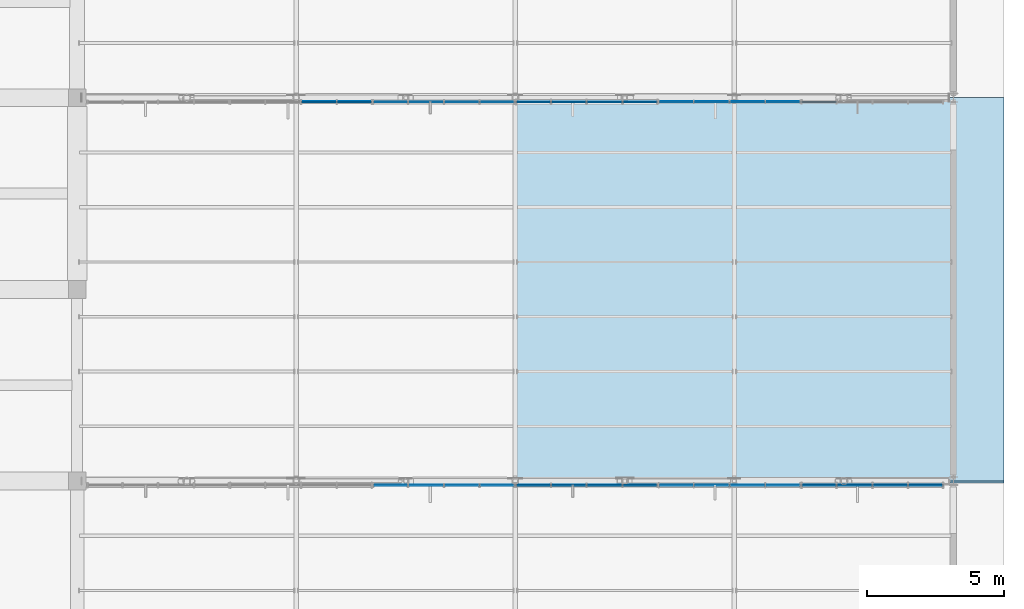
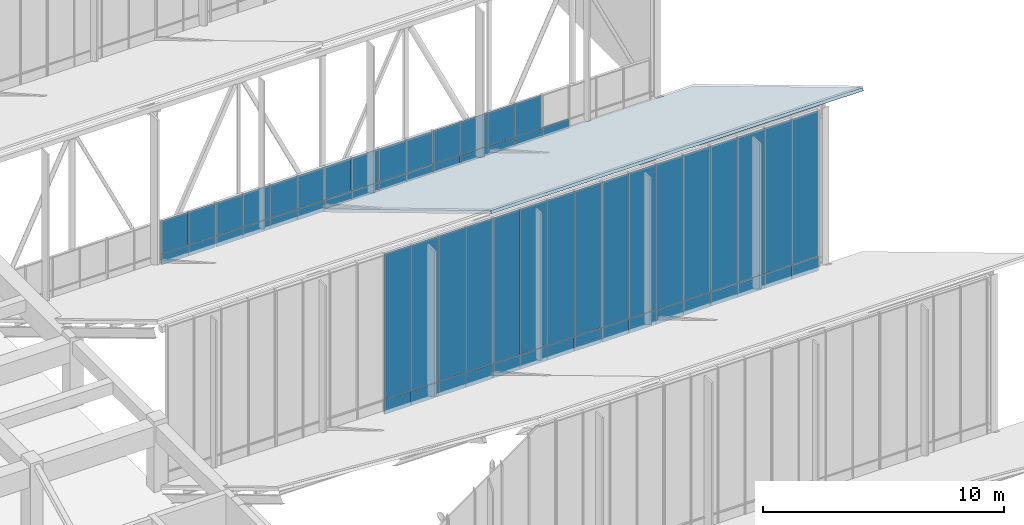
# One storey, part 81 of 155: 61 plates, 1 slab, 10 elements without a shape of their own.
"""IFC4 building model written with IfcOpenShell, lengths in metres."""

from ifc_helpers import new_model, si_unit, direction, frame, origin, origin_2d, place, context, subcontext, project, spatial, polyline, rectangle, outline, extrude, material, layer, layer_set, type_object, element, aggregate, save


model = new_model("IFC4")

# Units and contexts
model_context = context("Model", 3, precision=1e-05, world=origin(), true_north=direction((0.0, 1.0)))
body_context = subcontext(model_context, "Body", "Model", "MODEL_VIEW")
ifc_project = project(units=[si_unit("LENGTHUNIT", "METRE"), si_unit("AREAUNIT", "SQUARE_METRE"), si_unit("VOLUMEUNIT", "CUBIC_METRE"), si_unit("PLANEANGLEUNIT", "RADIAN"), si_unit("MASSUNIT", "GRAM", prefix="KILO")], contexts=[model_context])

# Site, building, storey
site_placement = place(None, origin())
site = spatial("IfcSite", under=ifc_project, at=site_placement, CompositionType="ELEMENT")
building_placement = place(site_placement, origin())
building = spatial("IfcBuilding", under=site, at=building_placement, Name="Larkveld Mobility Hub", CompositionType="ELEMENT")
storey_placement = place(building_placement, frame((0.0, 0.0, 8.39990234375)))
storey = spatial("IfcBuildingStorey", under=building, at=storey_placement, Name="L02", CompositionType="ELEMENT", Elevation=8.39990234375)

# Curtain wall, plates
ifc_material_1 = material(Name="Anodised aluminium 6063-T6", Category="aluminium")
curtain_wall_type_1 = type_object("IfcCurtainWallType", Name="CW-SYS-04", PredefinedType="NOTDEFINED", material=ifc_material_1)
curtain_wall_1_placement = place(storey_placement, origin())
curtain_wall_1 = element("IfcCurtainWall", 1, at=curtain_wall_1_placement, inside=storey, type_object=curtain_wall_type_1, Name="Sawtooth South-Light Clerestory B4 CW-028", PredefinedType="NOTDEFINED")
ifc_material_2 = material(Name="Low-E laminated solar-control double glazing", Category="glass")
ifc_layer_1 = layer(ifc_material_2, 0.028076171875, Name="Low-E laminated solar-control double glazing", Category="glass")
ifc_layer_set_1 = layer_set([ifc_layer_1], Name="Low-E laminated solar-control double glazing")
plate_type_1 = type_object("IfcPlateType", Name="CW-PNL-GL01", PredefinedType="CURTAIN_PANEL", material=ifc_layer_set_1)
plate_1_placement = place(storey_placement, frame((163.445068359375, 69.844970703125, 0.75), z_axis=(0.0, 0.0, 1.0), x_axis=(1.0, 0.0, 0.0)))
plate_1 = element("IfcPlate", 2, at=plate_1_placement, type_object=plate_type_1, Name="CW04 panel 1", PredefinedType="CURTAIN_PANEL", context=body_context, shape_type="SweptSolid", body=[
    extrude(rectangle(XDim=1.27392578125, YDim=0.028076171875, at=origin_2d()), origin(), (0.0, 0.0, 1.0), 7.367919921875),
])
plate_2_placement = place(storey_placement, frame((164.739013671875, 69.844970703125, 0.75), z_axis=(0.0, 0.0, 1.0), x_axis=(1.0, 0.0, 0.0)))
plate_2 = element("IfcPlate", 3, at=plate_2_placement, type_object=plate_type_1, Name="CW04 panel 2", PredefinedType="CURTAIN_PANEL", context=body_context, shape_type="SweptSolid", body=[
    extrude(rectangle(XDim=1.2939453125, YDim=0.028076171875, at=origin_2d()), origin(), (0.0, 0.0, 1.0), 7.367919921875),
])
plate_3_placement = place(storey_placement, frame((166.04296875, 69.844970703125, 0.75), z_axis=(0.0, 0.0, 1.0), x_axis=(1.0, 0.0, 0.0)))
plate_3 = element("IfcPlate", 4, at=plate_3_placement, type_object=plate_type_1, Name="CW04 panel 3", PredefinedType="CURTAIN_PANEL", context=body_context, shape_type="SweptSolid", body=[
    extrude(rectangle(XDim=1.2939453125, YDim=0.028076171875, at=origin_2d()), origin(), (0.0, 0.0, 1.0), 7.367919921875),
])
plate_4_placement = place(storey_placement, frame((167.337890625, 69.844970703125, 0.75), z_axis=(0.0, 0.0, 1.0), x_axis=(1.0, 0.0, 0.0)))
plate_4 = element("IfcPlate", 5, at=plate_4_placement, type_object=plate_type_1, Name="CW04 panel 4", PredefinedType="CURTAIN_PANEL", context=body_context, shape_type="SweptSolid", body=[
    extrude(rectangle(XDim=1.27392578125, YDim=0.028076171875, at=origin_2d()), origin(), (0.0, 0.0, 1.0), 7.367919921875),
])

curtain_wall_type_2 = type_object("IfcCurtainWallType", Name="CW-SYS-07", PredefinedType="NOTDEFINED", material=ifc_material_1)
curtain_wall_2_placement = place(storey_placement, origin())
curtain_wall_2 = element("IfcCurtainWall", 6, at=curtain_wall_2_placement, inside=storey, type_object=curtain_wall_type_2, Name="Sawtooth South-Light Clerestory B4 CW-031", PredefinedType="NOTDEFINED")
plate_5_placement = place(storey_placement, frame((179.094970703125, 69.844970703125, 0.75), z_axis=(0.0, 0.0, 1.0), x_axis=(1.0, 0.0, 0.0)))
plate_5 = element("IfcPlate", 7, at=plate_5_placement, type_object=plate_type_1, Name="CW07 panel 1", PredefinedType="CURTAIN_PANEL", context=body_context, shape_type="SweptSolid", body=[
    extrude(rectangle(XDim=1.27392578125, YDim=0.028076171875, at=origin_2d()), origin(), (0.0, 0.0, 1.0), 7.367919921875),
])
plate_6_placement = place(storey_placement, frame((180.388916015625, 69.844970703125, 0.75), z_axis=(0.0, 0.0, 1.0), x_axis=(1.0, 0.0, 0.0)))
plate_6 = element("IfcPlate", 8, at=plate_6_placement, type_object=plate_type_1, Name="CW07 panel 2", PredefinedType="CURTAIN_PANEL", context=body_context, shape_type="SweptSolid", body=[
    extrude(rectangle(XDim=1.2939453125, YDim=0.028076171875, at=origin_2d()), origin(), (0.0, 0.0, 1.0), 7.367919921875),
])
plate_7_placement = place(storey_placement, frame((181.694091796875, 69.844970703125, 0.75), z_axis=(0.0, 0.0, 1.0), x_axis=(1.0, 0.0, 0.0)))
plate_7 = element("IfcPlate", 9, at=plate_7_placement, type_object=plate_type_1, Name="CW07 panel 3", PredefinedType="CURTAIN_PANEL", context=body_context, shape_type="SweptSolid", body=[
    extrude(rectangle(XDim=1.2939453125, YDim=0.028076171875, at=origin_2d()), origin(), (0.0, 0.0, 1.0), 7.367919921875),
])
plate_8_placement = place(storey_placement, frame((182.988037109375, 69.844970703125, 0.75), z_axis=(0.0, 0.0, 1.0), x_axis=(1.0, 0.0, 0.0)))
plate_8 = element("IfcPlate", 10, at=plate_8_placement, type_object=plate_type_1, Name="CW07 panel 4", PredefinedType="CURTAIN_PANEL", context=body_context, shape_type="SweptSolid", body=[
    extrude(rectangle(XDim=1.27392578125, YDim=0.028076171875, at=origin_2d()), origin(), (0.0, 0.0, 1.0), 7.367919921875),
])

curtain_wall_type_3 = type_object("IfcCurtainWallType", Name="CW-SYS-10", PredefinedType="NOTDEFINED", material=ifc_material_1)
curtain_wall_3_placement = place(storey_placement, origin())
curtain_wall_3 = element("IfcCurtainWall", 11, at=curtain_wall_3_placement, inside=storey, type_object=curtain_wall_type_3, Name="Sawtooth South-Light Clerestory B5 CW-034", PredefinedType="NOTDEFINED")
plate_9_placement = place(storey_placement, frame((163.445068359375, 83.844970703125, 0.564453125), z_axis=(0.0, 0.0, 1.0), x_axis=(1.0, 0.0, 0.0)))
plate_9 = element("IfcPlate", 12, at=plate_9_placement, type_object=plate_type_1, Name="CW10 panel 1", PredefinedType="CURTAIN_PANEL", context=body_context, shape_type="SweptSolid", body=[
    extrude(rectangle(XDim=1.27392578125, YDim=0.028076171875, at=origin_2d()), origin(), (0.0, 0.0, 1.0), 1.6630859375),
])
plate_10_placement = place(storey_placement, frame((164.739013671875, 83.844970703125, 0.564453125), z_axis=(0.0, 0.0, 1.0), x_axis=(1.0, 0.0, 0.0)))
plate_10 = element("IfcPlate", 13, at=plate_10_placement, type_object=plate_type_1, Name="CW10 panel 2", PredefinedType="CURTAIN_PANEL", context=body_context, shape_type="SweptSolid", body=[
    extrude(rectangle(XDim=1.2939453125, YDim=0.028076171875, at=origin_2d()), origin(), (0.0, 0.0, 1.0), 1.6630859375),
])
plate_11_placement = place(storey_placement, frame((166.04296875, 83.844970703125, 0.564453125), z_axis=(0.0, 0.0, 1.0), x_axis=(1.0, 0.0, 0.0)))
plate_11 = element("IfcPlate", 14, at=plate_11_placement, type_object=plate_type_1, Name="CW10 panel 3", PredefinedType="CURTAIN_PANEL", context=body_context, shape_type="SweptSolid", body=[
    extrude(rectangle(XDim=1.2939453125, YDim=0.028076171875, at=origin_2d()), origin(), (0.0, 0.0, 1.0), 1.6630859375),
])
plate_12_placement = place(storey_placement, frame((167.337890625, 83.844970703125, 0.564453125), z_axis=(0.0, 0.0, 1.0), x_axis=(1.0, 0.0, 0.0)))
plate_12 = element("IfcPlate", 15, at=plate_12_placement, type_object=plate_type_1, Name="CW10 panel 4", PredefinedType="CURTAIN_PANEL", context=body_context, shape_type="SweptSolid", body=[
    extrude(rectangle(XDim=1.27392578125, YDim=0.028076171875, at=origin_2d()), origin(), (0.0, 0.0, 1.0), 1.6630859375),
])

curtain_wall_type_4 = type_object("IfcCurtainWallType", Name="CW-SYS-05", PredefinedType="NOTDEFINED", material=ifc_material_1)
curtain_wall_4_placement = place(storey_placement, origin())
curtain_wall_4 = element("IfcCurtainWall", 16, at=curtain_wall_4_placement, inside=storey, type_object=curtain_wall_type_4, Name="Sawtooth South-Light Clerestory B4 CW-029", PredefinedType="NOTDEFINED")
ifc_material_3 = material(Name="Acoustic solar-control laminated double glazing", Category="glass")
ifc_layer_2 = layer(ifc_material_3, 0.031982421875, Name="Acoustic solar-control laminated double glazing", Category="glass")
ifc_layer_set_2 = layer_set([ifc_layer_2], Name="Acoustic solar-control laminated double glazing")
plate_type_2 = type_object("IfcPlateType", Name="CW-PNL-GL02", PredefinedType="CURTAIN_PANEL", material=ifc_layer_set_2)
plate_13_placement = place(storey_placement, frame((168.662109375, 69.844970703125, 0.75), z_axis=(0.0, 0.0, 1.0), x_axis=(1.0, 0.0, 0.0)))
plate_13 = element("IfcPlate", 17, at=plate_13_placement, type_object=plate_type_2, Name="CW05 panel 1", PredefinedType="CURTAIN_PANEL", context=body_context, shape_type="SweptSolid", body=[
    extrude(rectangle(XDim=1.27392578125, YDim=0.031982421875, at=origin_2d()), origin(), (0.0, 0.0, 1.0), 7.367919921875),
])
plate_14_placement = place(storey_placement, frame((169.9560546875, 69.844970703125, 0.75), z_axis=(0.0, 0.0, 1.0), x_axis=(1.0, 0.0, 0.0)))
plate_14 = element("IfcPlate", 18, at=plate_14_placement, type_object=plate_type_2, Name="CW05 panel 2", PredefinedType="CURTAIN_PANEL", context=body_context, shape_type="SweptSolid", body=[
    extrude(rectangle(XDim=1.2939453125, YDim=0.031982421875, at=origin_2d()), origin(), (0.0, 0.0, 1.0), 7.367919921875),
])
plate_15_placement = place(storey_placement, frame((171.260009765625, 69.844970703125, 0.75), z_axis=(0.0, 0.0, 1.0), x_axis=(1.0, 0.0, 0.0)))
plate_15 = element("IfcPlate", 19, at=plate_15_placement, type_object=plate_type_2, Name="CW05 panel 3", PredefinedType="CURTAIN_PANEL", context=body_context, shape_type="SweptSolid", body=[
    extrude(rectangle(XDim=1.2939453125, YDim=0.031982421875, at=origin_2d()), origin(), (0.0, 0.0, 1.0), 7.367919921875),
])
plate_16_placement = place(storey_placement, frame((172.554931640625, 69.844970703125, 0.75), z_axis=(0.0, 0.0, 1.0), x_axis=(1.0, 0.0, 0.0)))
plate_16 = element("IfcPlate", 20, at=plate_16_placement, type_object=plate_type_2, Name="CW05 panel 4", PredefinedType="CURTAIN_PANEL", context=body_context, shape_type="SweptSolid", body=[
    extrude(rectangle(XDim=1.27392578125, YDim=0.031982421875, at=origin_2d()), origin(), (0.0, 0.0, 1.0), 7.367919921875),
])

curtain_wall_type_5 = type_object("IfcCurtainWallType", Name="CW-SYS-11", PredefinedType="NOTDEFINED", material=ifc_material_1)
curtain_wall_5_placement = place(storey_placement, origin())
curtain_wall_5 = element("IfcCurtainWall", 21, at=curtain_wall_5_placement, inside=storey, type_object=curtain_wall_type_5, Name="Sawtooth South-Light Clerestory B5 CW-035", PredefinedType="NOTDEFINED")
plate_17_placement = place(storey_placement, frame((168.662109375, 83.844970703125, 0.564453125), z_axis=(0.0, 0.0, 1.0), x_axis=(1.0, 0.0, 0.0)))
plate_17 = element("IfcPlate", 22, at=plate_17_placement, type_object=plate_type_2, Name="CW11 panel 1", PredefinedType="CURTAIN_PANEL", context=body_context, shape_type="SweptSolid", body=[
    extrude(rectangle(XDim=1.27392578125, YDim=0.031982421875, at=origin_2d()), origin(), (0.0, 0.0, 1.0), 1.6630859375),
])
plate_18_placement = place(storey_placement, frame((169.9560546875, 83.844970703125, 0.564453125), z_axis=(0.0, 0.0, 1.0), x_axis=(1.0, 0.0, 0.0)))
plate_18 = element("IfcPlate", 23, at=plate_18_placement, type_object=plate_type_2, Name="CW11 panel 2", PredefinedType="CURTAIN_PANEL", context=body_context, shape_type="SweptSolid", body=[
    extrude(rectangle(XDim=1.2939453125, YDim=0.031982421875, at=origin_2d()), origin(), (0.0, 0.0, 1.0), 1.6630859375),
])
plate_19_placement = place(storey_placement, frame((171.260009765625, 83.844970703125, 0.564453125), z_axis=(0.0, 0.0, 1.0), x_axis=(1.0, 0.0, 0.0)))
plate_19 = element("IfcPlate", 24, at=plate_19_placement, type_object=plate_type_2, Name="CW11 panel 3", PredefinedType="CURTAIN_PANEL", context=body_context, shape_type="SweptSolid", body=[
    extrude(rectangle(XDim=1.2939453125, YDim=0.031982421875, at=origin_2d()), origin(), (0.0, 0.0, 1.0), 1.6630859375),
])
plate_20_placement = place(storey_placement, frame((172.554931640625, 83.844970703125, 0.564453125), z_axis=(0.0, 0.0, 1.0), x_axis=(1.0, 0.0, 0.0)))
plate_20 = element("IfcPlate", 25, at=plate_20_placement, type_object=plate_type_2, Name="CW11 panel 4", PredefinedType="CURTAIN_PANEL", context=body_context, shape_type="SweptSolid", body=[
    extrude(rectangle(XDim=1.27392578125, YDim=0.031982421875, at=origin_2d()), origin(), (0.0, 0.0, 1.0), 1.6630859375),
])

curtain_wall_type_6 = type_object("IfcCurtainWallType", Name="CW-SYS-06", PredefinedType="NOTDEFINED", material=ifc_material_1)
curtain_wall_6_placement = place(storey_placement, origin())
curtain_wall_6 = element("IfcCurtainWall", 26, at=curtain_wall_6_placement, inside=storey, type_object=curtain_wall_type_6, Name="Sawtooth South-Light Clerestory B4 CW-030", PredefinedType="NOTDEFINED")
ifc_material_4 = material(Name="Tinted safety double glazing", Category="glass")
ifc_layer_3 = layer(ifc_material_4, 0.035888671875, Name="Tinted safety double glazing", Category="glass")
ifc_layer_set_3 = layer_set([ifc_layer_3], Name="Tinted safety double glazing")
plate_type_3 = type_object("IfcPlateType", Name="CW-PNL-GL03", PredefinedType="CURTAIN_PANEL", material=ifc_layer_set_3)
plate_21_placement = place(storey_placement, frame((173.87890625, 69.844970703125, 0.75), z_axis=(0.0, 0.0, 1.0), x_axis=(1.0, 0.0, 0.0)))
plate_21 = element("IfcPlate", 27, at=plate_21_placement, type_object=plate_type_3, Name="CW06 panel 1", PredefinedType="CURTAIN_PANEL", context=body_context, shape_type="SweptSolid", body=[
    extrude(rectangle(XDim=1.27392578125, YDim=0.035888671875, at=origin_2d()), origin(), (0.0, 0.0, 1.0), 7.367919921875),
])
plate_22_placement = place(storey_placement, frame((175.173095703125, 69.844970703125, 0.75), z_axis=(0.0, 0.0, 1.0), x_axis=(1.0, 0.0, 0.0)))
plate_22 = element("IfcPlate", 28, at=plate_22_placement, type_object=plate_type_3, Name="CW06 panel 2", PredefinedType="CURTAIN_PANEL", context=body_context, shape_type="SweptSolid", body=[
    extrude(rectangle(XDim=1.2939453125, YDim=0.035888671875, at=origin_2d()), origin(), (0.0, 0.0, 1.0), 7.367919921875),
])
plate_23_placement = place(storey_placement, frame((176.47802734375, 69.844970703125, 0.75), z_axis=(0.0, 0.0, 1.0), x_axis=(1.0, 0.0, 0.0)))
plate_23 = element("IfcPlate", 29, at=plate_23_placement, type_object=plate_type_3, Name="CW06 panel 3", PredefinedType="CURTAIN_PANEL", context=body_context, shape_type="SweptSolid", body=[
    extrude(rectangle(XDim=1.2939453125, YDim=0.035888671875, at=origin_2d()), origin(), (0.0, 0.0, 1.0), 7.367919921875),
])
plate_24_placement = place(storey_placement, frame((177.77197265625, 69.844970703125, 0.75), z_axis=(0.0, 0.0, 1.0), x_axis=(1.0, 0.0, 0.0)))
plate_24 = element("IfcPlate", 30, at=plate_24_placement, type_object=plate_type_3, Name="CW06 panel 4", PredefinedType="CURTAIN_PANEL", context=body_context, shape_type="SweptSolid", body=[
    extrude(rectangle(XDim=1.27392578125, YDim=0.035888671875, at=origin_2d()), origin(), (0.0, 0.0, 1.0), 7.367919921875),
])

curtain_wall_type_7 = type_object("IfcCurtainWallType", Name="CW-SYS-09", PredefinedType="NOTDEFINED", material=ifc_material_1)
curtain_wall_7_placement = place(storey_placement, origin())
curtain_wall_7 = element("IfcCurtainWall", 31, at=curtain_wall_7_placement, inside=storey, type_object=curtain_wall_type_7, Name="Sawtooth South-Light Clerestory B5 CW-033", PredefinedType="NOTDEFINED")
plate_25_placement = place(storey_placement, frame((160.826904296875, 83.844970703125, 0.564453125), z_axis=(0.0, 0.0, 1.0), x_axis=(1.0, 0.0, 0.0)))
plate_25 = element("IfcPlate", 32, at=plate_25_placement, type_object=plate_type_3, Name="CW09 panel 3", PredefinedType="CURTAIN_PANEL", context=body_context, shape_type="SweptSolid", body=[
    extrude(rectangle(XDim=1.2939453125, YDim=0.035888671875, at=origin_2d()), origin(), (0.0, 0.0, 1.0), 1.6630859375),
])
plate_26_placement = place(storey_placement, frame((162.1220703125, 83.844970703125, 0.564453125), z_axis=(0.0, 0.0, 1.0), x_axis=(1.0, 0.0, 0.0)))
plate_26 = element("IfcPlate", 33, at=plate_26_placement, type_object=plate_type_3, Name="CW09 panel 4", PredefinedType="CURTAIN_PANEL", context=body_context, shape_type="SweptSolid", body=[
    extrude(rectangle(XDim=1.27392578125, YDim=0.035888671875, at=origin_2d()), origin(), (0.0, 0.0, 1.0), 1.6630859375),
])

curtain_wall_type_8 = type_object("IfcCurtainWallType", Name="CW-SYS-12", PredefinedType="NOTDEFINED", material=ifc_material_1)
curtain_wall_8_placement = place(storey_placement, origin())
curtain_wall_8 = element("IfcCurtainWall", 34, at=curtain_wall_8_placement, inside=storey, type_object=curtain_wall_type_8, Name="Sawtooth South-Light Clerestory B5 CW-036", PredefinedType="NOTDEFINED")
plate_27_placement = place(storey_placement, frame((173.87890625, 83.844970703125, 0.564453125), z_axis=(0.0, 0.0, 1.0), x_axis=(1.0, 0.0, 0.0)))
plate_27 = element("IfcPlate", 35, at=plate_27_placement, type_object=plate_type_3, Name="CW12 panel 1", PredefinedType="CURTAIN_PANEL", context=body_context, shape_type="SweptSolid", body=[
    extrude(rectangle(XDim=1.27392578125, YDim=0.035888671875, at=origin_2d()), origin(), (0.0, 0.0, 1.0), 1.6630859375),
])
plate_28_placement = place(storey_placement, frame((175.173095703125, 83.844970703125, 0.564453125), z_axis=(0.0, 0.0, 1.0), x_axis=(1.0, 0.0, 0.0)))
plate_28 = element("IfcPlate", 36, at=plate_28_placement, type_object=plate_type_3, Name="CW12 panel 2", PredefinedType="CURTAIN_PANEL", context=body_context, shape_type="SweptSolid", body=[
    extrude(rectangle(XDim=1.2939453125, YDim=0.035888671875, at=origin_2d()), origin(), (0.0, 0.0, 1.0), 1.6630859375),
])
plate_29_placement = place(storey_placement, frame((176.47802734375, 83.844970703125, 0.564453125), z_axis=(0.0, 0.0, 1.0), x_axis=(1.0, 0.0, 0.0)))
plate_29 = element("IfcPlate", 37, at=plate_29_placement, type_object=plate_type_3, Name="CW12 panel 3", PredefinedType="CURTAIN_PANEL", context=body_context, shape_type="SweptSolid", body=[
    extrude(rectangle(XDim=1.2939453125, YDim=0.035888671875, at=origin_2d()), origin(), (0.0, 0.0, 1.0), 1.6630859375),
])
plate_30_placement = place(storey_placement, frame((177.77197265625, 83.844970703125, 0.564453125), z_axis=(0.0, 0.0, 1.0), x_axis=(1.0, 0.0, 0.0)))
plate_30 = element("IfcPlate", 38, at=plate_30_placement, type_object=plate_type_3, Name="CW12 panel 4", PredefinedType="CURTAIN_PANEL", context=body_context, shape_type="SweptSolid", body=[
    extrude(rectangle(XDim=1.27392578125, YDim=0.035888671875, at=origin_2d()), origin(), (0.0, 0.0, 1.0), 1.6630859375),
])

# Plate
ifc_material_5 = material(Name="Insulated fluoropolymer aluminium spandrel", Category="aluminium")
ifc_layer_4 = layer(ifc_material_5, 0.06494140625, Name="Insulated fluoropolymer aluminium spandrel", Category="aluminium")
ifc_layer_set_4 = layer_set([ifc_layer_4], Name="Insulated fluoropolymer aluminium spandrel")
plate_type_4 = type_object("IfcPlateType", Name="CW-PNL-SP01", PredefinedType="CURTAIN_PANEL", material=ifc_layer_set_4)
plate_31_placement = place(storey_placement, frame((168.662109375, 69.844970703125, 0.0), z_axis=(0.0, 0.0, 1.0), x_axis=(1.0, 0.0, 0.0)))
plate_31 = element("IfcPlate", 39, at=plate_31_placement, type_object=plate_type_4, Name="CW05 spandrel 1", PredefinedType="CURTAIN_PANEL", context=body_context, shape_type="SweptSolid", body=[
    extrude(rectangle(XDim=1.27392578125, YDim=0.06494140625, at=origin_2d()), origin(), (0.0, 0.0, 1.0), 0.738037109375),
])

plate_32_placement = place(storey_placement, frame((169.9560546875, 69.844970703125, 0.0), z_axis=(0.0, 0.0, 1.0), x_axis=(1.0, 0.0, 0.0)))
plate_32 = element("IfcPlate", 40, at=plate_32_placement, type_object=plate_type_4, Name="CW05 spandrel 2", PredefinedType="CURTAIN_PANEL", context=body_context, shape_type="SweptSolid", body=[
    extrude(rectangle(XDim=1.2939453125, YDim=0.06494140625, at=origin_2d()), origin(), (0.0, 0.0, 1.0), 0.738037109375),
])

plate_33_placement = place(storey_placement, frame((171.260009765625, 69.844970703125, 0.0), z_axis=(0.0, 0.0, 1.0), x_axis=(1.0, 0.0, 0.0)))
plate_33 = element("IfcPlate", 41, at=plate_33_placement, type_object=plate_type_4, Name="CW05 spandrel 3", PredefinedType="CURTAIN_PANEL", context=body_context, shape_type="SweptSolid", body=[
    extrude(rectangle(XDim=1.2939453125, YDim=0.06494140625, at=origin_2d()), origin(), (0.0, 0.0, 1.0), 0.738037109375),
])

plate_34_placement = place(storey_placement, frame((172.554931640625, 69.844970703125, 0.0), z_axis=(0.0, 0.0, 1.0), x_axis=(1.0, 0.0, 0.0)))
plate_34 = element("IfcPlate", 42, at=plate_34_placement, type_object=plate_type_4, Name="CW05 spandrel 4", PredefinedType="CURTAIN_PANEL", context=body_context, shape_type="SweptSolid", body=[
    extrude(rectangle(XDim=1.27392578125, YDim=0.06494140625, at=origin_2d()), origin(), (0.0, 0.0, 1.0), 0.738037109375),
])

aggregate(curtain_wall_4, [plate_31, plate_13, plate_32, plate_14, plate_33, plate_15, plate_34, plate_16])

plate_35_placement = place(storey_placement, frame((179.094970703125, 69.844970703125, 0.0), z_axis=(0.0, 0.0, 1.0), x_axis=(1.0, 0.0, 0.0)))
plate_35 = element("IfcPlate", 43, at=plate_35_placement, type_object=plate_type_4, Name="CW07 spandrel 1", PredefinedType="CURTAIN_PANEL", context=body_context, shape_type="SweptSolid", body=[
    extrude(rectangle(XDim=1.27392578125, YDim=0.06494140625, at=origin_2d()), origin(), (0.0, 0.0, 1.0), 0.738037109375),
])

plate_36_placement = place(storey_placement, frame((180.388916015625, 69.844970703125, 0.0), z_axis=(0.0, 0.0, 1.0), x_axis=(1.0, 0.0, 0.0)))
plate_36 = element("IfcPlate", 44, at=plate_36_placement, type_object=plate_type_4, Name="CW07 spandrel 2", PredefinedType="CURTAIN_PANEL", context=body_context, shape_type="SweptSolid", body=[
    extrude(rectangle(XDim=1.2939453125, YDim=0.06494140625, at=origin_2d()), origin(), (0.0, 0.0, 1.0), 0.738037109375),
])

plate_37_placement = place(storey_placement, frame((181.694091796875, 69.844970703125, 0.0), z_axis=(0.0, 0.0, 1.0), x_axis=(1.0, 0.0, 0.0)))
plate_37 = element("IfcPlate", 45, at=plate_37_placement, type_object=plate_type_4, Name="CW07 spandrel 3", PredefinedType="CURTAIN_PANEL", context=body_context, shape_type="SweptSolid", body=[
    extrude(rectangle(XDim=1.2939453125, YDim=0.06494140625, at=origin_2d()), origin(), (0.0, 0.0, 1.0), 0.738037109375),
])

plate_38_placement = place(storey_placement, frame((182.988037109375, 69.844970703125, 0.0), z_axis=(0.0, 0.0, 1.0), x_axis=(1.0, 0.0, 0.0)))
plate_38 = element("IfcPlate", 46, at=plate_38_placement, type_object=plate_type_4, Name="CW07 spandrel 4", PredefinedType="CURTAIN_PANEL", context=body_context, shape_type="SweptSolid", body=[
    extrude(rectangle(XDim=1.27392578125, YDim=0.06494140625, at=origin_2d()), origin(), (0.0, 0.0, 1.0), 0.738037109375),
])

aggregate(curtain_wall_2, [plate_35, plate_5, plate_36, plate_6, plate_37, plate_7, plate_38, plate_8])

plate_39_placement = place(storey_placement, frame((160.826904296875, 83.844970703125, 0.0), z_axis=(0.0, 0.0, 1.0), x_axis=(1.0, 0.0, 0.0)))
plate_39 = element("IfcPlate", 47, at=plate_39_placement, type_object=plate_type_4, Name="CW09 spandrel 3", PredefinedType="CURTAIN_PANEL", context=body_context, shape_type="SweptSolid", body=[
    extrude(rectangle(XDim=1.2939453125, YDim=0.06494140625, at=origin_2d()), origin(), (0.0, 0.0, 1.0), 0.552001953125),
])

plate_40_placement = place(storey_placement, frame((162.1220703125, 83.844970703125, 0.0), z_axis=(0.0, 0.0, 1.0), x_axis=(1.0, 0.0, 0.0)))
plate_40 = element("IfcPlate", 48, at=plate_40_placement, type_object=plate_type_4, Name="CW09 spandrel 4", PredefinedType="CURTAIN_PANEL", context=body_context, shape_type="SweptSolid", body=[
    extrude(rectangle(XDim=1.27392578125, YDim=0.06494140625, at=origin_2d()), origin(), (0.0, 0.0, 1.0), 0.552001953125),
])

aggregate(curtain_wall_7, [plate_39, plate_25, plate_40, plate_26])

plate_41_placement = place(storey_placement, frame((168.662109375, 83.844970703125, 0.0), z_axis=(0.0, 0.0, 1.0), x_axis=(1.0, 0.0, 0.0)))
plate_41 = element("IfcPlate", 49, at=plate_41_placement, type_object=plate_type_4, Name="CW11 spandrel 1", PredefinedType="CURTAIN_PANEL", context=body_context, shape_type="SweptSolid", body=[
    extrude(rectangle(XDim=1.27392578125, YDim=0.06494140625, at=origin_2d()), origin(), (0.0, 0.0, 1.0), 0.552001953125),
])

plate_42_placement = place(storey_placement, frame((169.9560546875, 83.844970703125, 0.0), z_axis=(0.0, 0.0, 1.0), x_axis=(1.0, 0.0, 0.0)))
plate_42 = element("IfcPlate", 50, at=plate_42_placement, type_object=plate_type_4, Name="CW11 spandrel 2", PredefinedType="CURTAIN_PANEL", context=body_context, shape_type="SweptSolid", body=[
    extrude(rectangle(XDim=1.2939453125, YDim=0.06494140625, at=origin_2d()), origin(), (0.0, 0.0, 1.0), 0.552001953125),
])

plate_43_placement = place(storey_placement, frame((171.260009765625, 83.844970703125, 0.0), z_axis=(0.0, 0.0, 1.0), x_axis=(1.0, 0.0, 0.0)))
plate_43 = element("IfcPlate", 51, at=plate_43_placement, type_object=plate_type_4, Name="CW11 spandrel 3", PredefinedType="CURTAIN_PANEL", context=body_context, shape_type="SweptSolid", body=[
    extrude(rectangle(XDim=1.2939453125, YDim=0.06494140625, at=origin_2d()), origin(), (0.0, 0.0, 1.0), 0.552001953125),
])

plate_44_placement = place(storey_placement, frame((172.554931640625, 83.844970703125, 0.0), z_axis=(0.0, 0.0, 1.0), x_axis=(1.0, 0.0, 0.0)))
plate_44 = element("IfcPlate", 52, at=plate_44_placement, type_object=plate_type_4, Name="CW11 spandrel 4", PredefinedType="CURTAIN_PANEL", context=body_context, shape_type="SweptSolid", body=[
    extrude(rectangle(XDim=1.27392578125, YDim=0.06494140625, at=origin_2d()), origin(), (0.0, 0.0, 1.0), 0.552001953125),
])

aggregate(curtain_wall_5, [plate_41, plate_17, plate_42, plate_18, plate_43, plate_19, plate_44, plate_20])

# Curtain wall, plate
curtain_wall_type_9 = type_object("IfcCurtainWallType", Name="CW-SYS-01", PredefinedType="NOTDEFINED", material=ifc_material_1)
curtain_wall_9_placement = place(storey_placement, origin())
curtain_wall_9 = element("IfcCurtainWall", 53, at=curtain_wall_9_placement, inside=storey, type_object=curtain_wall_type_9, Name="Sawtooth South-Light Clerestory B5 CW-037", PredefinedType="NOTDEFINED")
plate_45_placement = place(storey_placement, frame((179.094970703125, 83.844970703125, 0.0), z_axis=(0.0, 0.0, 1.0), x_axis=(1.0, 0.0, 0.0)))
plate_45 = element("IfcPlate", 54, at=plate_45_placement, type_object=plate_type_4, Name="CW01 spandrel 1", PredefinedType="CURTAIN_PANEL", context=body_context, shape_type="SweptSolid", body=[
    extrude(rectangle(XDim=1.27392578125, YDim=0.06494140625, at=origin_2d()), origin(), (0.0, 0.0, 1.0), 0.552001953125),
])
aggregate(curtain_wall_9, [plate_45])

# Plate
ifc_material_6 = material(Name="Insulated terracotta-toned aluminium spandrel", Category="masonry")
ifc_layer_5 = layer(ifc_material_6, 0.080078125, Name="Insulated terracotta-toned aluminium spandrel", Category="masonry")
ifc_layer_set_5 = layer_set([ifc_layer_5], Name="Insulated terracotta-toned aluminium spandrel")
plate_type_5 = type_object("IfcPlateType", Name="CW-PNL-SP02", PredefinedType="CURTAIN_PANEL", material=ifc_layer_set_5)
plate_46_placement = place(storey_placement, frame((163.445068359375, 69.844970703125, 0.0), z_axis=(0.0, 0.0, 1.0), x_axis=(1.0, 0.0, 0.0)))
plate_46 = element("IfcPlate", 55, at=plate_46_placement, type_object=plate_type_5, Name="CW04 spandrel 1", PredefinedType="CURTAIN_PANEL", context=body_context, shape_type="SweptSolid", body=[
    extrude(rectangle(XDim=1.27392578125, YDim=0.080078125, at=origin_2d()), origin(), (0.0, 0.0, 1.0), 0.738037109375),
])

plate_47_placement = place(storey_placement, frame((164.739013671875, 69.844970703125, 0.0), z_axis=(0.0, 0.0, 1.0), x_axis=(1.0, 0.0, 0.0)))
plate_47 = element("IfcPlate", 56, at=plate_47_placement, type_object=plate_type_5, Name="CW04 spandrel 2", PredefinedType="CURTAIN_PANEL", context=body_context, shape_type="SweptSolid", body=[
    extrude(rectangle(XDim=1.2939453125, YDim=0.080078125, at=origin_2d()), origin(), (0.0, 0.0, 1.0), 0.738037109375),
])

plate_48_placement = place(storey_placement, frame((166.04296875, 69.844970703125, 0.0), z_axis=(0.0, 0.0, 1.0), x_axis=(1.0, 0.0, 0.0)))
plate_48 = element("IfcPlate", 57, at=plate_48_placement, type_object=plate_type_5, Name="CW04 spandrel 3", PredefinedType="CURTAIN_PANEL", context=body_context, shape_type="SweptSolid", body=[
    extrude(rectangle(XDim=1.2939453125, YDim=0.080078125, at=origin_2d()), origin(), (0.0, 0.0, 1.0), 0.738037109375),
])

plate_49_placement = place(storey_placement, frame((167.337890625, 69.844970703125, 0.0), z_axis=(0.0, 0.0, 1.0), x_axis=(1.0, 0.0, 0.0)))
plate_49 = element("IfcPlate", 58, at=plate_49_placement, type_object=plate_type_5, Name="CW04 spandrel 4", PredefinedType="CURTAIN_PANEL", context=body_context, shape_type="SweptSolid", body=[
    extrude(rectangle(XDim=1.27392578125, YDim=0.080078125, at=origin_2d()), origin(), (0.0, 0.0, 1.0), 0.738037109375),
])

aggregate(curtain_wall_1, [plate_46, plate_1, plate_47, plate_2, plate_48, plate_3, plate_49, plate_4])

plate_50_placement = place(storey_placement, frame((173.87890625, 69.844970703125, 0.0), z_axis=(0.0, 0.0, 1.0), x_axis=(1.0, 0.0, 0.0)))
plate_50 = element("IfcPlate", 59, at=plate_50_placement, type_object=plate_type_5, Name="CW06 spandrel 1", PredefinedType="CURTAIN_PANEL", context=body_context, shape_type="SweptSolid", body=[
    extrude(rectangle(XDim=1.27392578125, YDim=0.080078125, at=origin_2d()), origin(), (0.0, 0.0, 1.0), 0.738037109375),
])

plate_51_placement = place(storey_placement, frame((175.173095703125, 69.844970703125, 0.0), z_axis=(0.0, 0.0, 1.0), x_axis=(1.0, 0.0, 0.0)))
plate_51 = element("IfcPlate", 60, at=plate_51_placement, type_object=plate_type_5, Name="CW06 spandrel 2", PredefinedType="CURTAIN_PANEL", context=body_context, shape_type="SweptSolid", body=[
    extrude(rectangle(XDim=1.2939453125, YDim=0.080078125, at=origin_2d()), origin(), (0.0, 0.0, 1.0), 0.738037109375),
])

plate_52_placement = place(storey_placement, frame((176.47802734375, 69.844970703125, 0.0), z_axis=(0.0, 0.0, 1.0), x_axis=(1.0, 0.0, 0.0)))
plate_52 = element("IfcPlate", 61, at=plate_52_placement, type_object=plate_type_5, Name="CW06 spandrel 3", PredefinedType="CURTAIN_PANEL", context=body_context, shape_type="SweptSolid", body=[
    extrude(rectangle(XDim=1.2939453125, YDim=0.080078125, at=origin_2d()), origin(), (0.0, 0.0, 1.0), 0.738037109375),
])

plate_53_placement = place(storey_placement, frame((177.77197265625, 69.844970703125, 0.0), z_axis=(0.0, 0.0, 1.0), x_axis=(1.0, 0.0, 0.0)))
plate_53 = element("IfcPlate", 62, at=plate_53_placement, type_object=plate_type_5, Name="CW06 spandrel 4", PredefinedType="CURTAIN_PANEL", context=body_context, shape_type="SweptSolid", body=[
    extrude(rectangle(XDim=1.27392578125, YDim=0.080078125, at=origin_2d()), origin(), (0.0, 0.0, 1.0), 0.738037109375),
])

aggregate(curtain_wall_6, [plate_50, plate_21, plate_51, plate_22, plate_52, plate_23, plate_53, plate_24])

plate_54_placement = place(storey_placement, frame((163.445068359375, 83.844970703125, 0.0), z_axis=(0.0, 0.0, 1.0), x_axis=(1.0, 0.0, 0.0)))
plate_54 = element("IfcPlate", 63, at=plate_54_placement, type_object=plate_type_5, Name="CW10 spandrel 1", PredefinedType="CURTAIN_PANEL", context=body_context, shape_type="SweptSolid", body=[
    extrude(rectangle(XDim=1.27392578125, YDim=0.080078125, at=origin_2d()), origin(), (0.0, 0.0, 1.0), 0.552001953125),
])

plate_55_placement = place(storey_placement, frame((164.739013671875, 83.844970703125, 0.0), z_axis=(0.0, 0.0, 1.0), x_axis=(1.0, 0.0, 0.0)))
plate_55 = element("IfcPlate", 64, at=plate_55_placement, type_object=plate_type_5, Name="CW10 spandrel 2", PredefinedType="CURTAIN_PANEL", context=body_context, shape_type="SweptSolid", body=[
    extrude(rectangle(XDim=1.2939453125, YDim=0.080078125, at=origin_2d()), origin(), (0.0, 0.0, 1.0), 0.552001953125),
])

plate_56_placement = place(storey_placement, frame((166.04296875, 83.844970703125, 0.0), z_axis=(0.0, 0.0, 1.0), x_axis=(1.0, 0.0, 0.0)))
plate_56 = element("IfcPlate", 65, at=plate_56_placement, type_object=plate_type_5, Name="CW10 spandrel 3", PredefinedType="CURTAIN_PANEL", context=body_context, shape_type="SweptSolid", body=[
    extrude(rectangle(XDim=1.2939453125, YDim=0.080078125, at=origin_2d()), origin(), (0.0, 0.0, 1.0), 0.552001953125),
])

plate_57_placement = place(storey_placement, frame((167.337890625, 83.844970703125, 0.0), z_axis=(0.0, 0.0, 1.0), x_axis=(1.0, 0.0, 0.0)))
plate_57 = element("IfcPlate", 66, at=plate_57_placement, type_object=plate_type_5, Name="CW10 spandrel 4", PredefinedType="CURTAIN_PANEL", context=body_context, shape_type="SweptSolid", body=[
    extrude(rectangle(XDim=1.27392578125, YDim=0.080078125, at=origin_2d()), origin(), (0.0, 0.0, 1.0), 0.552001953125),
])

aggregate(curtain_wall_3, [plate_54, plate_9, plate_55, plate_10, plate_56, plate_11, plate_57, plate_12])

plate_58_placement = place(storey_placement, frame((173.87890625, 83.844970703125, 0.0), z_axis=(0.0, 0.0, 1.0), x_axis=(1.0, 0.0, 0.0)))
plate_58 = element("IfcPlate", 67, at=plate_58_placement, type_object=plate_type_5, Name="CW12 spandrel 1", PredefinedType="CURTAIN_PANEL", context=body_context, shape_type="SweptSolid", body=[
    extrude(rectangle(XDim=1.27392578125, YDim=0.080078125, at=origin_2d()), origin(), (0.0, 0.0, 1.0), 0.552001953125),
])

plate_59_placement = place(storey_placement, frame((175.173095703125, 83.844970703125, 0.0), z_axis=(0.0, 0.0, 1.0), x_axis=(1.0, 0.0, 0.0)))
plate_59 = element("IfcPlate", 68, at=plate_59_placement, type_object=plate_type_5, Name="CW12 spandrel 2", PredefinedType="CURTAIN_PANEL", context=body_context, shape_type="SweptSolid", body=[
    extrude(rectangle(XDim=1.2939453125, YDim=0.080078125, at=origin_2d()), origin(), (0.0, 0.0, 1.0), 0.552001953125),
])

plate_60_placement = place(storey_placement, frame((176.47802734375, 83.844970703125, 0.0), z_axis=(0.0, 0.0, 1.0), x_axis=(1.0, 0.0, 0.0)))
plate_60 = element("IfcPlate", 69, at=plate_60_placement, type_object=plate_type_5, Name="CW12 spandrel 3", PredefinedType="CURTAIN_PANEL", context=body_context, shape_type="SweptSolid", body=[
    extrude(rectangle(XDim=1.2939453125, YDim=0.080078125, at=origin_2d()), origin(), (0.0, 0.0, 1.0), 0.552001953125),
])

plate_61_placement = place(storey_placement, frame((177.77197265625, 83.844970703125, 0.0), z_axis=(0.0, 0.0, 1.0), x_axis=(1.0, 0.0, 0.0)))
plate_61 = element("IfcPlate", 70, at=plate_61_placement, type_object=plate_type_5, Name="CW12 spandrel 4", PredefinedType="CURTAIN_PANEL", context=body_context, shape_type="SweptSolid", body=[
    extrude(rectangle(XDim=1.27392578125, YDim=0.080078125, at=origin_2d()), origin(), (0.0, 0.0, 1.0), 0.552001953125),
])

aggregate(curtain_wall_8, [plate_58, plate_27, plate_59, plate_28, plate_60, plate_29, plate_61, plate_30])

# Roof, slab
ifc_material_7 = material(Name="Steel S355JR", Category="steel")
roof_type = type_object("IfcRoofType", Name="ROF-SAW-01", PredefinedType="SHED_ROOF", material=ifc_material_7)
roof_placement = place(storey_placement, origin())
roof = element("IfcRoof", 71, at=roof_placement, inside=storey, type_object=roof_type, Name="Sawtooth South-Light Roof Bay 4", PredefinedType="SHED_ROOF")
ifc_material_8 = material(Name="Precast concrete C50/60", Category="concrete")
ifc_layer_6 = layer(ifc_material_8, 0.139892578125, Name="Precast concrete C50/60", Category="concrete")
ifc_layer_set_6 = layer_set([ifc_layer_6], Name="Precast concrete C50/60")
slab_type = type_object("IfcSlabType", Name="SL-RF-SAW140", PredefinedType="ROOF", material=ifc_layer_set_6)
slab_placement = place(storey_placement, frame((168.0, 70.0, 8.400146484375), z_axis=(0.0, 0.51450235251, 0.857488967429), x_axis=(1.0, 0.0, 0.0)))
slab = element("IfcSlab", 72, at=slab_placement, type_object=slab_type, Name="Sawtooth North-Sloped Roof Slab B4.2", PredefinedType="ROOF", context=body_context, shape_type="SweptSolid", body=[
    extrude(outline(polyline([(0.0, 0.0), (17.85009765625, 0.0), (17.85009765625, 16.3267406716392), (0.0, 16.3267406716392), (0.0, 0.0)])), origin(), (0.0, 0.0, -1.0), 0.139892578125),
])
aggregate(roof, [slab])

save(model, "model.ifc")
